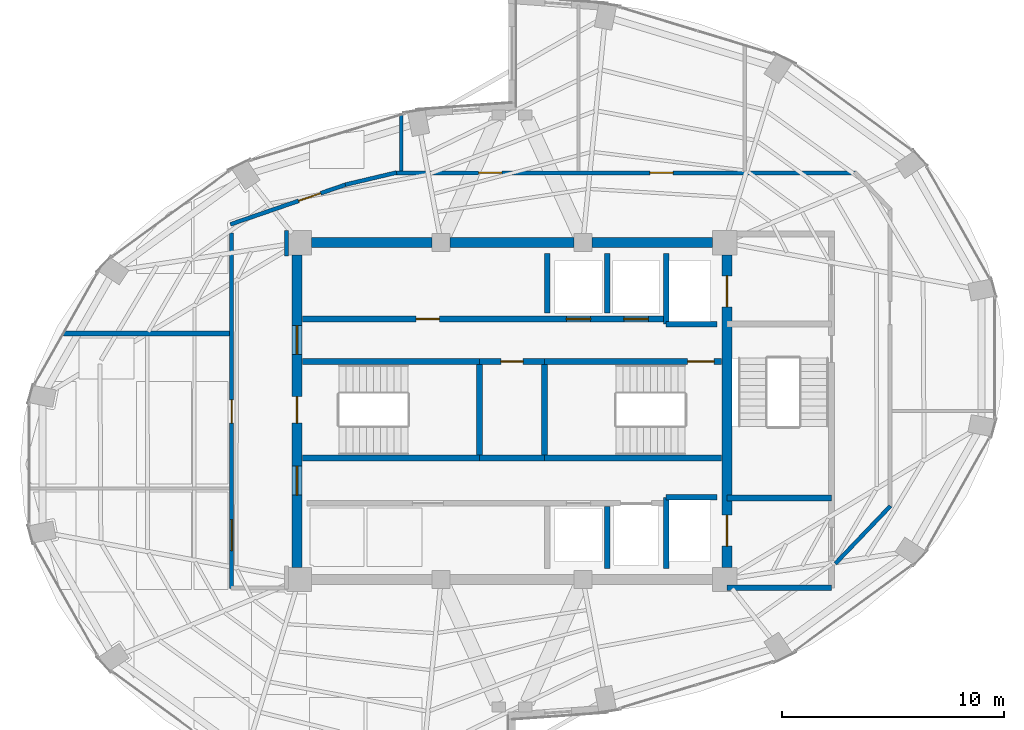
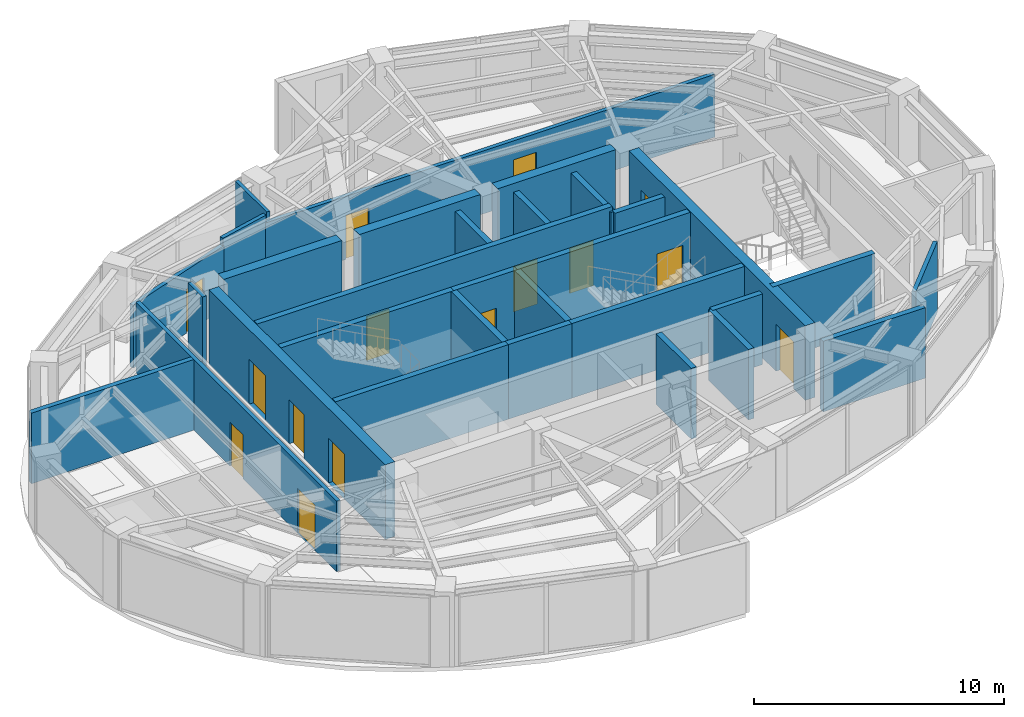
# One storey, part 19 of 22: 31 walls, 15 doors, 15 openings.
"""IFC4 building model written with IfcOpenShell, lengths in metres."""

from ifc_helpers import new_model, si_unit, direction, frame, frame_2d, origin, place, context, subcontext, project, spatial, rectangle, extrude, material, layer, layer_set, type_object, element, fill, save


model = new_model("IFC4")

# Units and contexts
model_context = context("Model", 3, precision=1e-05, world=origin(), true_north=direction((0.0, 1.0)))
body_context = subcontext(model_context, "Body", "Model", "MODEL_VIEW")
ifc_project = project(units=[si_unit("LENGTHUNIT", "METRE"), si_unit("AREAUNIT", "SQUARE_METRE"), si_unit("VOLUMEUNIT", "CUBIC_METRE"), si_unit("PLANEANGLEUNIT", "RADIAN"), si_unit("MASSUNIT", "GRAM", prefix="KILO")], contexts=[model_context])

# Site, building, storey
site_placement = place(None, origin())
site = spatial("IfcSite", under=ifc_project, at=site_placement, CompositionType="ELEMENT")
building_placement = place(site_placement, origin())
building = spatial("IfcBuilding", under=site, at=building_placement, Name="Lazwardi Medical Tower", CompositionType="ELEMENT")
storey_placement = place(building_placement, frame((0.0, 0.0, 238.60791015625)))
storey = spatial("IfcBuildingStorey", under=building, at=storey_placement, Name="L62", CompositionType="ELEMENT", Elevation=238.60791015625)

# Wall, opening, door
ifc_material_1 = material(Name="Fire-rated gypsum board on steel stud", Category="steel")
ifc_layer_1 = layer(ifc_material_1, 0.179931640625)
ifc_layer_set_1 = layer_set([ifc_layer_1], Name="Fire-rated gypsum board on steel stud")
wall_type_1 = type_object("IfcWallType", Name="WL-COR-180", PredefinedType="PARTITIONING", material=ifc_layer_set_1)
wall_1_placement = place(storey_placement, frame((23.294189453125, 36.422119140625, 0.0), z_axis=(0.0, 0.0, 1.0), x_axis=(0.945493277461, 0.325641616316, 0.0)))
wall_1 = element("IfcWall", 1, at=wall_1_placement, inside=storey, type_object=wall_type_1, Name="L62 Corridor partition 1", PredefinedType="PARTITIONING", context=body_context, shape_type="SweptSolid", body=[
    extrude(rectangle(XDim=5.5615234375, YDim=0.179931640625, at=frame_2d((2.78076171875, 0.0))), origin(), (0.0, 0.0, 1.0), 3.072998046875),
])
opening_1_placement = place(wall_1_placement, frame((3.255859375, 0.0, 0.0)))
opening_1 = element("IfcOpeningElement", 2, at=opening_1_placement, cuts=wall_1, Name="Opening D-L62-013", PredefinedType="OPENING", context=body_context, shape_type="SweptSolid", body=[
    extrude(rectangle(XDim=1.050048828125, YDim=2.14990234375, at=frame_2d((0.52490234375, 1.074951171875))), frame((0.0, 0.099853515625, 0.0), z_axis=(0.0, -1.0, 0.0), x_axis=(1.0, 0.0, 0.0)), (0.0, 0.0, 1.0), 0.199951171875),
])
ifc_material_2 = material(Name="Anti-microbial laminate hospital leaf")
door_type_1 = type_object("IfcDoorType", Name="DR-CLN-1050", OperationType="NOTDEFINED", PredefinedType="DOOR", material=ifc_material_2)
door_1_placement = place(opening_1_placement, origin())
door_1 = element("IfcDoor", 3, at=door_1_placement, inside=storey, type_object=door_type_1, Name="L62 Outpatient Clinic Door 06", OperationType="SINGLE_SWING_LEFT", OverallHeight=2.14990234375, OverallWidth=1.050048828125, PredefinedType="DOOR", context=body_context, shape_type="SweptSolid", body=[
    extrude(rectangle(XDim=1.050048828125, YDim=2.14990234375, at=frame_2d((0.52490234375, 1.074951171875))), frame((0.0, 0.02490234375, 0.0), z_axis=(0.0, -1.0, 0.0), x_axis=(1.0, 0.0, 0.0)), (0.0, 0.0, 1.0), 0.050048828125),
])
fill(opening_1, door_1)

# Wall
wall_2_placement = place(storey_placement, frame((28.475830078125, 38.2109375, 0.0), z_axis=(0.0, 0.0, 1.0), x_axis=(0.973030562203, 0.230676234189, 0.0)))
element("IfcWall", 4, at=wall_2_placement, inside=storey, type_object=wall_type_1, Name="L62 Corridor partition 2", PredefinedType="PARTITIONING", context=body_context, shape_type="SweptSolid", body=[
    extrude(rectangle(XDim=2.377197265625, YDim=0.179931640625, at=frame_2d((1.1884765625, 0.0))), origin(), (0.0, 0.0, 1.0), 3.447998046875),
])

# Wall, openings, doors
wall_3_placement = place(storey_placement, frame((30.709716796875, 38.75, 0.0), z_axis=(0.0, 0.0, 1.0), x_axis=(1.0, 0.0, 0.0)))
wall_3 = element("IfcWall", 5, at=wall_3_placement, inside=storey, type_object=wall_type_1, Name="L62 Corridor partition 3", PredefinedType="PARTITIONING", context=body_context, shape_type="SweptSolid", body=[
    extrude(rectangle(XDim=20.8154296875, YDim=0.179931640625, at=frame_2d((10.40771484375, 0.0))), origin(), (0.0, 0.0, 1.0), 3.072998046875),
])
opening_2_placement = place(wall_3_placement, frame((11.51513671875, 0.0, 0.0)))
opening_2 = element("IfcOpeningElement", 6, at=opening_2_placement, cuts=wall_3, Name="Opening D-L62-011", PredefinedType="OPENING", context=body_context, shape_type="SweptSolid", body=[
    extrude(rectangle(XDim=1.050048828125, YDim=2.14990234375, at=frame_2d((0.52490234375, 1.074951171875))), frame((0.0, 0.099853515625, 0.0), z_axis=(0.0, -1.0, 0.0), x_axis=(1.0, 0.0, 0.0)), (0.0, 0.0, 1.0), 0.199951171875),
])
opening_3_placement = place(wall_3_placement, frame((3.779052734375, 0.0, 0.0)))
opening_3 = element("IfcOpeningElement", 7, at=opening_3_placement, cuts=wall_3, Name="Opening D-L62-012", PredefinedType="OPENING", context=body_context, shape_type="SweptSolid", body=[
    extrude(rectangle(XDim=1.050048828125, YDim=2.14990234375, at=frame_2d((0.52490234375, 1.074951171875))), frame((0.0, 0.099853515625, 0.0), z_axis=(0.0, -1.0, 0.0), x_axis=(1.0, 0.0, 0.0)), (0.0, 0.0, 1.0), 0.199951171875),
])
door_2_placement = place(opening_2_placement, origin())
door_2 = element("IfcDoor", 8, at=door_2_placement, inside=storey, type_object=door_type_1, Name="L62 Ward Dietetic Pantry Door 04", OperationType="SINGLE_SWING_LEFT", OverallHeight=2.14990234375, OverallWidth=1.050048828125, PredefinedType="DOOR", context=body_context, shape_type="SweptSolid", body=[
    extrude(rectangle(XDim=1.050048828125, YDim=2.14990234375, at=frame_2d((0.52490234375, 1.074951171875))), frame((0.0, 0.02490234375, 0.0), z_axis=(0.0, -1.0, 0.0), x_axis=(1.0, 0.0, 0.0)), (0.0, 0.0, 1.0), 0.050048828125),
])
fill(opening_2, door_2)
door_3_placement = place(opening_3_placement, origin())
door_3 = element("IfcDoor", 9, at=door_3_placement, inside=storey, type_object=door_type_1, Name="L62 Outpatient Clinic Door 05", OperationType="SINGLE_SWING_RIGHT", OverallHeight=2.14990234375, OverallWidth=1.050048828125, PredefinedType="DOOR", context=body_context, shape_type="SweptSolid", body=[
    extrude(rectangle(XDim=1.050048828125, YDim=2.14990234375, at=frame_2d((0.52490234375, 1.074951171875))), frame((0.0, 0.02490234375, 0.0), z_axis=(0.0, -1.0, 0.0), x_axis=(1.0, 0.0, 0.0)), (0.0, 0.0, 1.0), 0.050048828125),
])
fill(opening_3, door_3)

# Walls
wall_4_placement = place(storey_placement, frame((53.07763671875, 23.71435546875, 0.0), z_axis=(0.0, 0.0, 1.0), x_axis=(-0.691353379446, -0.722516785085, 0.0)))
element("IfcWall", 10, at=wall_4_placement, inside=storey, type_object=wall_type_1, Name="L62 Corridor partition 6", PredefinedType="PARTITIONING", context=body_context, shape_type="SweptSolid", body=[
    extrude(rectangle(XDim=3.603759765625, YDim=0.179931640625, at=frame_2d((1.8017578125, 0.0))), origin(), (0.0, 0.0, 1.0), 3.447998046875),
])
wall_5_placement = place(storey_placement, frame((25.830078125, 36.139892578125, 0.0), z_axis=(0.0, 0.0, 1.0), x_axis=(0.0, -1.0, 0.0)))
element("IfcWall", 11, at=wall_5_placement, inside=storey, type_object=wall_type_1, Name="L62 Corridor partition 7", PredefinedType="PARTITIONING", context=body_context, shape_type="SweptSolid", body=[
    extrude(rectangle(XDim=1.14990234375, YDim=0.179931640625, at=frame_2d((0.574951171875, 0.0))), origin(), (0.0, 0.0, 1.0), 3.447998046875),
])

# Wall, openings, doors
wall_6_placement = place(storey_placement, frame((23.35009765625, 19.97998046875, 0.0), z_axis=(0.0, 0.0, 1.0), x_axis=(0.0, 1.0, 0.0)))
wall_6 = element("IfcWall", 12, at=wall_6_placement, inside=storey, type_object=wall_type_1, Name="L62 Corridor partition 10", PredefinedType="PARTITIONING", context=body_context, shape_type="SweptSolid", body=[
    extrude(rectangle(XDim=16.04248046875, YDim=0.179931640625, at=frame_2d((8.021240234375, 0.0))), origin(), (0.0, 0.0, 1.0), 3.447998046875),
])
opening_4_placement = place(wall_6_placement, frame((7.4775390625, 0.0, 0.0)))
opening_4 = element("IfcOpeningElement", 13, at=opening_4_placement, cuts=wall_6, Name="Opening D-L62-008", PredefinedType="OPENING", context=body_context, shape_type="SweptSolid", body=[
    extrude(rectangle(XDim=1.050048828125, YDim=2.14990234375, at=frame_2d((0.52490234375, 1.074951171875))), frame((0.0, 0.099853515625, 0.0), z_axis=(0.0, -1.0, 0.0), x_axis=(1.0, 0.0, 0.0)), (0.0, 0.0, 1.0), 0.199951171875),
])
opening_5_placement = place(wall_6_placement, frame((1.718994140625, 0.0, 0.0)))
opening_5 = element("IfcOpeningElement", 14, at=opening_5_placement, cuts=wall_6, Name="Opening D-L62-009", PredefinedType="OPENING", context=body_context, shape_type="SweptSolid", body=[
    extrude(rectangle(XDim=1.39990234375, YDim=2.199951171875, at=frame_2d((0.699951171875, 1.10009765625))), frame((0.0, 0.099853515625, 0.0), z_axis=(0.0, -1.0, 0.0), x_axis=(1.0, 0.0, 0.0)), (0.0, 0.0, 1.0), 0.199951171875),
])
door_type_2 = type_object("IfcDoorType", Name="DR-BED-1400", OperationType="NOTDEFINED", PredefinedType="DOOR", material=ifc_material_2)
door_4_placement = place(opening_5_placement, origin())
door_4 = element("IfcDoor", 15, at=door_4_placement, inside=storey, type_object=door_type_2, Name="L62 Rehabilitation Gymnasium Door 02", OperationType="SINGLE_SWING_LEFT", OverallHeight=2.199951171875, OverallWidth=1.39990234375, PredefinedType="DOOR", context=body_context, shape_type="SweptSolid", body=[
    extrude(rectangle(XDim=1.39990234375, YDim=2.199951171875, at=frame_2d((0.699951171875, 1.10009765625))), frame((0.0, 0.02490234375, 0.0), z_axis=(0.0, -1.0, 0.0), x_axis=(1.0, 0.0, 0.0)), (0.0, 0.0, 1.0), 0.050048828125),
])
fill(opening_5, door_4)
door_5_placement = place(opening_4_placement, origin())
door_5 = element("IfcDoor", 16, at=door_5_placement, inside=storey, type_object=door_type_1, Name="L62 Outpatient Clinic Door 01", OperationType="SINGLE_SWING_RIGHT", OverallHeight=2.14990234375, OverallWidth=1.050048828125, PredefinedType="DOOR", context=body_context, shape_type="SweptSolid", body=[
    extrude(rectangle(XDim=1.050048828125, YDim=2.14990234375, at=frame_2d((0.52490234375, 1.074951171875))), frame((0.0, 0.02490234375, 0.0), z_axis=(0.0, -1.0, 0.0), x_axis=(1.0, 0.0, 0.0)), (0.0, 0.0, 1.0), 0.050048828125),
])
fill(opening_4, door_5)

ifc_material_3 = material(Name="Concrete C60/75", Category="concrete")
ifc_layer_2 = layer(ifc_material_3, 0.449951171875)
ifc_layer_set_2 = layer_set([ifc_layer_2], Name="Concrete C60/75")
wall_type_2 = type_object("IfcWallType", Name="WL-CORE-450", PredefinedType="SHEAR", material=ifc_layer_set_2)
wall_7_placement = place(storey_placement, frame((26.300048828125, 20.949951171875, 0.0), z_axis=(0.0, 0.0, 1.0), x_axis=(0.0, 1.0, 0.0)))
wall_7 = element("IfcWall", 17, at=wall_7_placement, inside=storey, type_object=wall_type_2, Name="Core wall CW-S4 west L62", PredefinedType="SHEAR", context=body_context, shape_type="SweptSolid", body=[
    extrude(rectangle(XDim=14.10009765625, YDim=0.449951171875, at=frame_2d((7.050048828125, 0.0))), origin(), (0.0, 0.0, 1.0), 3.648193359375),
])
opening_6_placement = place(wall_7_placement, frame((6.5, 0.0, 0.0)))
opening_6 = element("IfcOpeningElement", 18, at=opening_6_placement, cuts=wall_7, Name="Opening D-L62-014", PredefinedType="OPENING", context=body_context, shape_type="SweptSolid", body=[
    extrude(rectangle(XDim=1.199951171875, YDim=2.14990234375, at=frame_2d((0.60009765625, 1.074951171875))), frame((0.0, 0.23486328125, 0.0), z_axis=(0.0, -1.0, 0.0), x_axis=(1.0, 0.0, 0.0)), (0.0, 0.0, 1.0), 0.469970703125),
])
opening_7_placement = place(wall_7_placement, frame((9.60009765625, 0.0, 0.0)))
opening_7 = element("IfcOpeningElement", 19, at=opening_7_placement, cuts=wall_7, Name="Opening D-L62-006", PredefinedType="OPENING", context=body_context, shape_type="SweptSolid", body=[
    extrude(rectangle(XDim=1.300048828125, YDim=2.199951171875, at=frame_2d((0.64990234375, 1.10009765625))), frame((0.0, 0.23486328125, 0.0), z_axis=(0.0, -1.0, 0.0), x_axis=(1.0, 0.0, 0.0)), (0.0, 0.0, 1.0), 0.469970703125),
])
opening_8_placement = place(wall_7_placement, frame((3.260009765625, 0.0, 0.0)))
opening_8 = element("IfcOpeningElement", 20, at=opening_8_placement, cuts=wall_7, Name="Opening D-L62-007", PredefinedType="OPENING", context=body_context, shape_type="SweptSolid", body=[
    extrude(rectangle(XDim=1.300048828125, YDim=2.199951171875, at=frame_2d((0.64990234375, 1.10009765625))), frame((0.0, 0.23486328125, 0.0), z_axis=(0.0, -1.0, 0.0), x_axis=(1.0, 0.0, 0.0)), (0.0, 0.0, 1.0), 0.469970703125),
])
ifc_material_4 = material(Name="Fire-rated steel leaf and frame", Category="steel")
door_type_3 = type_object("IfcDoorType", Name="DR-FFL-1300", OperationType="NOTDEFINED", PredefinedType="DOOR", material=ifc_material_4)
door_6_placement = place(opening_7_placement, origin())
door_6 = element("IfcDoor", 21, at=door_6_placement, inside=storey, type_object=door_type_3, Name="L62 North Lift Lobby Door", OperationType="SINGLE_SWING_LEFT", OverallHeight=2.199951171875, OverallWidth=1.300048828125, PredefinedType="DOOR", context=body_context, shape_type="SweptSolid", body=[
    extrude(rectangle(XDim=1.300048828125, YDim=2.199951171875, at=frame_2d((0.64990234375, 1.10009765625))), frame((0.0, 0.02490234375, 0.0), z_axis=(0.0, -1.0, 0.0), x_axis=(1.0, 0.0, 0.0)), (0.0, 0.0, 1.0), 0.050048828125),
])
fill(opening_7, door_6)
door_7_placement = place(opening_8_placement, origin())
door_7 = element("IfcDoor", 22, at=door_7_placement, inside=storey, type_object=door_type_3, Name="L62 South Lift Lobby Door", OperationType="SINGLE_SWING_RIGHT", OverallHeight=2.199951171875, OverallWidth=1.300048828125, PredefinedType="DOOR", context=body_context, shape_type="SweptSolid", body=[
    extrude(rectangle(XDim=1.300048828125, YDim=2.199951171875, at=frame_2d((0.64990234375, 1.10009765625))), frame((0.0, 0.02490234375, 0.0), z_axis=(0.0, -1.0, 0.0), x_axis=(1.0, 0.0, 0.0)), (0.0, 0.0, 1.0), 0.050048828125),
])
fill(opening_8, door_7)
door_type_4 = type_object("IfcDoorType", Name="DR-STR-1200", OperationType="NOTDEFINED", PredefinedType="DOOR", material=ifc_material_4)
door_8_placement = place(opening_6_placement, origin())
door_8 = element("IfcDoor", 23, at=door_8_placement, inside=storey, type_object=door_type_4, Name="L62 Exit Stair ST1 Door", OperationType="SINGLE_SWING_RIGHT", OverallHeight=2.14990234375, OverallWidth=1.199951171875, PredefinedType="DOOR", context=body_context, shape_type="SweptSolid", body=[
    extrude(rectangle(XDim=1.199951171875, YDim=2.14990234375, at=frame_2d((0.60009765625, 1.074951171875))), frame((0.0, 0.02490234375, 0.0), z_axis=(0.0, -1.0, 0.0), x_axis=(1.0, 0.0, 0.0)), (0.0, 0.0, 1.0), 0.050048828125),
])
fill(opening_6, door_8)

wall_8_placement = place(storey_placement, frame((45.699951171875, 20.949951171875, 0.0), z_axis=(0.0, 0.0, 1.0), x_axis=(0.0, 1.0, 0.0)))
wall_8 = element("IfcWall", 24, at=wall_8_placement, inside=storey, type_object=wall_type_2, Name="Core wall CW-S4 east L62", PredefinedType="SHEAR", context=body_context, shape_type="SweptSolid", body=[
    extrude(rectangle(XDim=14.10009765625, YDim=0.449951171875, at=frame_2d((7.050048828125, 0.0))), origin(), (0.0, 0.0, 1.0), 3.648193359375),
])
opening_9_placement = place(wall_8_placement, frame((11.75, 0.0, 0.0)))
opening_9 = element("IfcOpeningElement", 25, at=opening_9_placement, cuts=wall_8, Name="Opening LD-L62-001", PredefinedType="OPENING", context=body_context, shape_type="SweptSolid", body=[
    extrude(rectangle(XDim=1.39990234375, YDim=2.300048828125, at=frame_2d((0.699951171875, 1.14990234375))), frame((0.0, 0.23486328125, 0.0), z_axis=(0.0, -1.0, 0.0), x_axis=(1.0, 0.0, 0.0)), (0.0, 0.0, 1.0), 0.469970703125),
])
opening_10_placement = place(wall_8_placement, frame((0.949951171875, 0.0, 0.0)))
opening_10 = element("IfcOpeningElement", 26, at=opening_10_placement, cuts=wall_8, Name="Opening LD-L62-002", PredefinedType="OPENING", context=body_context, shape_type="SweptSolid", body=[
    extrude(rectangle(XDim=1.39990234375, YDim=2.300048828125, at=frame_2d((0.699951171875, 1.14990234375))), frame((0.0, 0.23486328125, 0.0), z_axis=(0.0, -1.0, 0.0), x_axis=(1.0, 0.0, 0.0)), (0.0, 0.0, 1.0), 0.469970703125),
])
ifc_material_5 = material(Name="Brushed stainless steel bed-lift landing door", Category="steel")
door_type_5 = type_object("IfcDoorType", Name="DR-LFT-1400", OperationType="NOTDEFINED", PredefinedType="DOOR", material=ifc_material_5)
door_9_placement = place(opening_9_placement, origin())
door_9 = element("IfcDoor", 27, at=door_9_placement, inside=storey, type_object=door_type_5, Name="L62 Lift Landing Door FL-01", OperationType="SLIDING_TO_LEFT", OverallHeight=2.300048828125, OverallWidth=1.39990234375, PredefinedType="DOOR", context=body_context, shape_type="SweptSolid", body=[
    extrude(rectangle(XDim=1.39990234375, YDim=2.300048828125, at=frame_2d((0.699951171875, 1.14990234375))), frame((0.0, 0.02490234375, 0.0), z_axis=(0.0, -1.0, 0.0), x_axis=(1.0, 0.0, 0.0)), (0.0, 0.0, 1.0), 0.050048828125),
])
fill(opening_9, door_9)
door_10_placement = place(opening_10_placement, origin())
door_10 = element("IfcDoor", 28, at=door_10_placement, inside=storey, type_object=door_type_5, Name="L62 Lift Landing Door FL-02", OperationType="SLIDING_TO_LEFT", OverallHeight=2.300048828125, OverallWidth=1.39990234375, PredefinedType="DOOR", context=body_context, shape_type="SweptSolid", body=[
    extrude(rectangle(XDim=1.39990234375, YDim=2.300048828125, at=frame_2d((0.699951171875, 1.14990234375))), frame((0.0, 0.02490234375, 0.0), z_axis=(0.0, -1.0, 0.0), x_axis=(1.0, 0.0, 0.0)), (0.0, 0.0, 1.0), 0.050048828125),
])
fill(opening_10, door_10)

# Walls
wall_9_placement = place(storey_placement, frame((26.949951171875, 35.60009765625, 0.0), z_axis=(0.0, 0.0, 1.0), x_axis=(1.0, 0.0, 0.0)))
element("IfcWall", 29, at=wall_9_placement, inside=storey, type_object=wall_type_2, Name="Core wall CW-S4 N1 L62", PredefinedType="SHEAR", context=body_context, shape_type="SweptSolid", body=[
    extrude(rectangle(XDim=5.449951171875, YDim=0.449951171875, at=frame_2d((2.72509765625, 0.0))), origin(), (0.0, 0.0, 1.0), 3.648193359375),
])
wall_10_placement = place(storey_placement, frame((33.199951171875, 35.60009765625, 0.0), z_axis=(0.0, 0.0, 1.0), x_axis=(1.0, 0.0, 0.0)))
element("IfcWall", 30, at=wall_10_placement, inside=storey, type_object=wall_type_2, Name="Core wall CW-S4 N2 L62", PredefinedType="SHEAR", context=body_context, shape_type="SweptSolid", body=[
    extrude(rectangle(XDim=5.60009765625, YDim=0.449951171875, at=frame_2d((2.800048828125, 0.0))), origin(), (0.0, 0.0, 1.0), 3.648193359375),
])
wall_11_placement = place(storey_placement, frame((39.60009765625, 35.60009765625, 0.0), z_axis=(0.0, 0.0, 1.0), x_axis=(1.0, 0.0, 0.0)))
element("IfcWall", 31, at=wall_11_placement, inside=storey, type_object=wall_type_2, Name="Core wall CW-S4 N3 L62", PredefinedType="SHEAR", context=body_context, shape_type="SweptSolid", body=[
    extrude(rectangle(XDim=5.449951171875, YDim=0.449951171875, at=frame_2d((2.72509765625, 0.0))), origin(), (0.0, 0.0, 1.0), 3.648193359375),
])
ifc_material_6 = material(Name="Autoclaved aerated concrete blockwork", Category="masonry")
ifc_layer_3 = layer(ifc_material_6, 0.25)
ifc_layer_set_3 = layer_set([ifc_layer_3], Name="Autoclaved aerated concrete blockwork")
wall_type_3 = type_object("IfcWallType", Name="WL-SHAFT-250", PredefinedType="SOLIDWALL", material=ifc_layer_set_3)
wall_12_placement = place(storey_placement, frame((42.949951171875, 31.919921875, 0.0), z_axis=(0.0, 0.0, 1.0), x_axis=(0.0, 1.0, 0.0)))
element("IfcWall", 32, at=wall_12_placement, inside=storey, type_object=wall_type_3, Name="L62 FL-01 West shaft wall", PredefinedType="SOLIDWALL", context=body_context, shape_type="SweptSolid", body=[
    extrude(rectangle(XDim=3.18017578125, YDim=0.25, at=frame_2d((1.590087890625, 0.0))), origin(), (0.0, 0.0, 1.0), 3.447998046875),
])
wall_13_placement = place(storey_placement, frame((42.949951171875, 31.919921875, 0.0), z_axis=(0.0, 0.0, 1.0), x_axis=(1.0, 0.0, 0.0)))
element("IfcWall", 33, at=wall_13_placement, inside=storey, type_object=wall_type_3, Name="L62 FL-01 South shaft wall", PredefinedType="SOLIDWALL", context=body_context, shape_type="SweptSolid", body=[
    extrude(rectangle(XDim=2.300048828125, YDim=0.25, at=frame_2d((1.14990234375, 0.0))), origin(), (0.0, 0.0, 1.0), 3.447998046875),
])
wall_14_placement = place(storey_placement, frame((42.949951171875, 20.89990234375, 0.0), z_axis=(0.0, 0.0, 1.0), x_axis=(0.0, 1.0, 0.0)))
element("IfcWall", 34, at=wall_14_placement, inside=storey, type_object=wall_type_3, Name="L62 FL-02 West shaft wall", PredefinedType="SOLIDWALL", context=body_context, shape_type="SweptSolid", body=[
    extrude(rectangle(XDim=3.2001953125, YDim=0.25, at=frame_2d((1.60009765625, 0.0))), origin(), (0.0, 0.0, 1.0), 3.447998046875),
])
wall_15_placement = place(storey_placement, frame((42.949951171875, 24.10009765625, 0.0), z_axis=(0.0, 0.0, 1.0), x_axis=(1.0, 0.0, 0.0)))
element("IfcWall", 35, at=wall_15_placement, inside=storey, type_object=wall_type_3, Name="L62 FL-02 North shaft wall", PredefinedType="SOLIDWALL", context=body_context, shape_type="SweptSolid", body=[
    extrude(rectangle(XDim=2.300048828125, YDim=0.25, at=frame_2d((1.14990234375, 0.0))), origin(), (0.0, 0.0, 1.0), 3.447998046875),
])
for number, where, z_axis, x_axis, name in (
    (36, (37.60009765625, 32.419921875, 0.0), (0.0, 0.0, 1.0), (0.0, 1.0, 0.0), "L62 North hoistway divider"),
    (37, (40.300048828125, 32.419921875, 0.0), (0.0, 0.0, 1.0), (0.0, 1.0, 0.0), "L62 North hoistway divider"),
):
    element("IfcWall", number, at=place(storey_placement, frame(where, z_axis=z_axis, x_axis=x_axis)), inside=storey, type_object=wall_type_3, Name=name, PredefinedType="SOLIDWALL", context=body_context, shape_type="SweptSolid", body=[
        extrude(rectangle(XDim=2.68017578125, YDim=0.25, at=frame_2d((1.340087890625, 0.0))), origin(), (0.0, 0.0, 1.0), 3.447998046875),
    ])
wall_16_placement = place(storey_placement, frame((40.300048828125, 20.89990234375, 0.0), z_axis=(0.0, 0.0, 1.0), x_axis=(0.0, 1.0, 0.0)))
element("IfcWall", 38, at=wall_16_placement, inside=storey, type_object=wall_type_3, Name="L62 South hoistway divider", PredefinedType="SOLIDWALL", context=body_context, shape_type="SweptSolid", body=[
    extrude(rectangle(XDim=2.800048828125, YDim=0.25, at=frame_2d((1.39990234375, 0.0))), origin(), (0.0, 0.0, 1.0), 3.447998046875),
])
wall_17_placement = place(storey_placement, frame((45.699951171875, 20.02001953125, 0.0), z_axis=(0.0, 0.0, 1.0), x_axis=(1.0, 0.0, 0.0)))
element("IfcWall", 39, at=wall_17_placement, inside=storey, type_object=wall_type_3, Name="L62 FFL-S South wall", PredefinedType="SOLIDWALL", context=body_context, shape_type="SweptSolid", body=[
    extrude(rectangle(XDim=4.715087890625, YDim=0.25, at=frame_2d((2.357421875, 0.0))), origin(), (0.0, 0.0, 1.0), 3.447998046875),
])
ifc_layer_4 = layer(ifc_material_1, 0.219970703125)
ifc_layer_set_4 = layer_set([ifc_layer_4], Name="Fire-rated gypsum board on steel stud")
wall_type_4 = type_object("IfcWallType", Name="WL-SMK-220", PredefinedType="PARTITIONING", material=ifc_layer_set_4)
wall_18_placement = place(storey_placement, frame((15.764892578125, 31.5, 0.0), z_axis=(0.0, 0.0, 1.0), x_axis=(1.0, 0.0, 0.0)))
element("IfcWall", 40, at=wall_18_placement, inside=storey, type_object=wall_type_4, Name="L62 Room partition 2", PredefinedType="PARTITIONING", context=body_context, shape_type="SweptSolid", body=[
    extrude(rectangle(XDim=7.4951171875, YDim=0.219970703125, at=frame_2d((3.74755859375, 0.0))), origin(), (0.0, 0.0, 1.0), 3.447998046875),
])
ifc_material_7 = material(Name="Concrete C50/60", Category="concrete")
ifc_layer_5 = layer(ifc_material_7, 0.27001953125)
ifc_layer_set_5 = layer_set([ifc_layer_5], Name="Concrete C50/60")
wall_type_5 = type_object("IfcWallType", Name="WL-STR-250", PredefinedType="SHEAR", material=ifc_layer_set_5)
wall_19_placement = place(storey_placement, frame((26.550048828125, 30.235107421875, 0.0), z_axis=(0.0, 0.0, 1.0), x_axis=(1.0, 0.0, 0.0)))
element("IfcWall", 41, at=wall_19_placement, inside=storey, type_object=wall_type_5, Name="L62 ST1 North shear shaft wall SW-S1", PredefinedType="SHEAR", context=body_context, shape_type="SweptSolid", body=[
    extrude(rectangle(XDim=7.98486328125, YDim=0.27001953125, at=frame_2d((3.992431640625, 0.0))), origin(), (0.0, 0.0, 1.0), 3.648193359375),
])

# Wall, opening, door
wall_20_placement = place(storey_placement, frame((34.534912109375, 30.235107421875, 0.0), z_axis=(0.0, 0.0, 1.0), x_axis=(1.0, 0.0, 0.0)))
wall_20 = element("IfcWall", 42, at=wall_20_placement, inside=storey, type_object=wall_type_5, Name="L62 Core service North shear wall SW-S1", PredefinedType="SHEAR", context=body_context, shape_type="SweptSolid", body=[
    extrude(rectangle(XDim=2.93017578125, YDim=0.27001953125, at=frame_2d((1.465087890625, 0.0))), origin(), (0.0, 0.0, 1.0), 3.648193359375),
])
opening_11_placement = place(wall_20_placement, frame((0.965087890625, 0.0, 0.0)))
opening_11 = element("IfcOpeningElement", 43, at=opening_11_placement, cuts=wall_20, Name="Opening D-L62-001", PredefinedType="OPENING", context=body_context, shape_type="SweptSolid", body=[
    extrude(rectangle(XDim=1.0, YDim=2.10009765625, at=frame_2d((0.5, 1.050048828125))), frame((0.0, 0.14501953125, 0.0), z_axis=(0.0, -1.0, 0.0), x_axis=(1.0, 0.0, 0.0)), (0.0, 0.0, 1.0), 0.2900390625),
])
ifc_material_8 = material(Name="Moisture-resistant laminate door leaf")
door_type_6 = type_object("IfcDoorType", Name="DR-AWC-1000", OperationType="NOTDEFINED", PredefinedType="DOOR", material=ifc_material_8)
door_11_placement = place(opening_11_placement, origin())
door_11 = element("IfcDoor", 44, at=door_11_placement, inside=storey, type_object=door_type_6, Name="L62 Accessible WC Door", OperationType="SINGLE_SWING_RIGHT", OverallHeight=2.10009765625, OverallWidth=1.0, PredefinedType="DOOR", context=body_context, shape_type="SweptSolid", body=[
    extrude(rectangle(XDim=1.0, YDim=2.10009765625, at=frame_2d((0.5, 1.050048828125))), frame((0.0, 0.02490234375, 0.0), z_axis=(0.0, -1.0, 0.0), x_axis=(1.0, 0.0, 0.0)), (0.0, 0.0, 1.0), 0.050048828125),
])
fill(opening_11, door_11)

wall_21_placement = place(storey_placement, frame((37.465087890625, 30.235107421875, 0.0), z_axis=(0.0, 0.0, 1.0), x_axis=(1.0, 0.0, 0.0)))
wall_21 = element("IfcWall", 45, at=wall_21_placement, inside=storey, type_object=wall_type_5, Name="L62 ST2 North shear shaft wall SW-S1", PredefinedType="SHEAR", context=body_context, shape_type="SweptSolid", body=[
    extrude(rectangle(XDim=7.98486328125, YDim=0.27001953125, at=frame_2d((3.992431640625, 0.0))), origin(), (0.0, 0.0, 1.0), 3.648193359375),
])
opening_12_placement = place(wall_21_placement, frame((6.455078125, 0.0, 0.0)))
opening_12 = element("IfcOpeningElement", 46, at=opening_12_placement, cuts=wall_21, Name="Opening D-L62-015", PredefinedType="OPENING", context=body_context, shape_type="SweptSolid", body=[
    extrude(rectangle(XDim=1.199951171875, YDim=2.14990234375, at=frame_2d((0.60009765625, 1.074951171875))), frame((0.0, 0.14501953125, 0.0), z_axis=(0.0, -1.0, 0.0), x_axis=(1.0, 0.0, 0.0)), (0.0, 0.0, 1.0), 0.2900390625),
])
door_12_placement = place(opening_12_placement, origin())
door_12 = element("IfcDoor", 47, at=door_12_placement, inside=storey, type_object=door_type_4, Name="L62 Exit Stair ST2 Door", OperationType="SINGLE_SWING_LEFT", OverallHeight=2.14990234375, OverallWidth=1.199951171875, PredefinedType="DOOR", context=body_context, shape_type="SweptSolid", body=[
    extrude(rectangle(XDim=1.199951171875, YDim=2.14990234375, at=frame_2d((0.60009765625, 1.074951171875))), frame((0.0, 0.02490234375, 0.0), z_axis=(0.0, -1.0, 0.0), x_axis=(1.0, 0.0, 0.0)), (0.0, 0.0, 1.0), 0.050048828125),
])
fill(opening_12, door_12)

# Walls
wall_22_placement = place(storey_placement, frame((26.550048828125, 25.885009765625, 0.0), z_axis=(0.0, 0.0, 1.0), x_axis=(1.0, 0.0, 0.0)))
element("IfcWall", 48, at=wall_22_placement, inside=storey, type_object=wall_type_5, Name="L62 ST1 South shear shaft wall SW-S1", PredefinedType="SHEAR", context=body_context, shape_type="SweptSolid", body=[
    extrude(rectangle(XDim=7.98486328125, YDim=0.27001953125, at=frame_2d((3.992431640625, 0.0))), origin(), (0.0, 0.0, 1.0), 3.648193359375),
])
wall_23_placement = place(storey_placement, frame((34.534912109375, 25.885009765625, 0.0), z_axis=(0.0, 0.0, 1.0), x_axis=(1.0, 0.0, 0.0)))
element("IfcWall", 49, at=wall_23_placement, inside=storey, type_object=wall_type_5, Name="L62 Core service South shear wall SW-S1", PredefinedType="SHEAR", context=body_context, shape_type="SweptSolid", body=[
    extrude(rectangle(XDim=2.93017578125, YDim=0.27001953125, at=frame_2d((1.465087890625, 0.0))), origin(), (0.0, 0.0, 1.0), 3.648193359375),
])
wall_24_placement = place(storey_placement, frame((37.465087890625, 25.885009765625, 0.0), z_axis=(0.0, 0.0, 1.0), x_axis=(1.0, 0.0, 0.0)))
element("IfcWall", 50, at=wall_24_placement, inside=storey, type_object=wall_type_5, Name="L62 ST2 South shear shaft wall SW-S1", PredefinedType="SHEAR", context=body_context, shape_type="SweptSolid", body=[
    extrude(rectangle(XDim=7.98486328125, YDim=0.27001953125, at=frame_2d((3.992431640625, 0.0))), origin(), (0.0, 0.0, 1.0), 3.648193359375),
])
for number, where, z_axis, x_axis, name in (
    (51, (34.534912109375, 26.02001953125, 0.0), (0.0, 0.0, 1.0), (0.0, 1.0, 0.0), "L62 ST1 East shear shaft wall SW-S1"),
    (52, (37.465087890625, 26.02001953125, 0.0), (0.0, 0.0, 1.0), (0.0, 1.0, 0.0), "L62 ST2 West shear shaft wall SW-S1"),
):
    element("IfcWall", number, at=place(storey_placement, frame(where, z_axis=z_axis, x_axis=x_axis)), inside=storey, type_object=wall_type_5, Name=name, PredefinedType="SHEAR", context=body_context, shape_type="SweptSolid", body=[
        extrude(rectangle(XDim=4.080078125, YDim=0.27001953125, at=frame_2d((2.0400390625, 0.0))), origin(), (0.0, 0.0, 1.0), 3.648193359375),
    ])

# Wall, openings, doors
wall_25_placement = place(storey_placement, frame((26.550048828125, 32.14990234375, 0.0), z_axis=(0.0, 0.0, 1.0), x_axis=(1.0, 0.0, 0.0)))
wall_25 = element("IfcWall", 53, at=wall_25_placement, inside=storey, type_object=wall_type_5, Name="L62 North lift bank shear wall SW-S1", PredefinedType="SHEAR", context=body_context, shape_type="SweptSolid", body=[
    extrude(rectangle(XDim=16.39990234375, YDim=0.27001953125, at=frame_2d((8.199951171875, 0.0))), origin(), (0.0, 0.0, 1.0), 3.648193359375),
])
opening_13_placement = place(wall_25_placement, frame((5.125, 0.0, 0.0)))
opening_13 = element("IfcOpeningElement", 54, at=opening_13_placement, cuts=wall_25, Name="Opening D-L62-002", PredefinedType="OPENING", context=body_context, shape_type="SweptSolid", body=[
    extrude(rectangle(XDim=1.050048828125, YDim=2.14990234375, at=frame_2d((0.52490234375, 1.074951171875))), frame((0.0, 0.14501953125, 0.0), z_axis=(0.0, -1.0, 0.0), x_axis=(1.0, 0.0, 0.0)), (0.0, 0.0, 1.0), 0.2900390625),
])
opening_14_placement = place(wall_25_placement, frame((11.89990234375, 0.0, 0.0)))
opening_14 = element("IfcOpeningElement", 55, at=opening_14_placement, cuts=wall_25, Name="Opening LD-L62-004", PredefinedType="OPENING", context=body_context, shape_type="SweptSolid", body=[
    extrude(rectangle(XDim=1.10009765625, YDim=2.199951171875, at=frame_2d((0.550048828125, 1.10009765625))), frame((0.0, 0.14501953125, 0.0), z_axis=(0.0, -1.0, 0.0), x_axis=(1.0, 0.0, 0.0)), (0.0, 0.0, 1.0), 0.2900390625),
])
opening_15_placement = place(wall_25_placement, frame((14.5, 0.0, 0.0)))
opening_15 = element("IfcOpeningElement", 56, at=opening_15_placement, cuts=wall_25, Name="Opening LD-L62-005", PredefinedType="OPENING", context=body_context, shape_type="SweptSolid", body=[
    extrude(rectangle(XDim=1.10009765625, YDim=2.199951171875, at=frame_2d((0.550048828125, 1.10009765625))), frame((0.0, 0.14501953125, 0.0), z_axis=(0.0, -1.0, 0.0), x_axis=(1.0, 0.0, 0.0)), (0.0, 0.0, 1.0), 0.2900390625),
])
door_13_placement = place(opening_13_placement, origin())
door_13 = element("IfcDoor", 57, at=door_13_placement, inside=storey, type_object=door_type_1, Name="L62 Core North Suite Door", OperationType="SINGLE_SWING_LEFT", OverallHeight=2.14990234375, OverallWidth=1.050048828125, PredefinedType="DOOR", context=body_context, shape_type="SweptSolid", body=[
    extrude(rectangle(XDim=1.050048828125, YDim=2.14990234375, at=frame_2d((0.52490234375, 1.074951171875))), frame((0.0, 0.02490234375, 0.0), z_axis=(0.0, -1.0, 0.0), x_axis=(1.0, 0.0, 0.0)), (0.0, 0.0, 1.0), 0.050048828125),
])
fill(opening_13, door_13)
ifc_material_9 = material(Name="Brushed bronze stainless steel landing door", Category="steel")
door_type_7 = type_object("IfcDoorType", Name="DR-LFT-1100", OperationType="NOTDEFINED", PredefinedType="DOOR", material=ifc_material_9)
door_14_placement = place(opening_14_placement, origin())
door_14 = element("IfcDoor", 58, at=door_14_placement, inside=storey, type_object=door_type_7, Name="L62 Lift Landing Door PL-09", OperationType="SLIDING_TO_LEFT", OverallHeight=2.199951171875, OverallWidth=1.10009765625, PredefinedType="DOOR", context=body_context, shape_type="SweptSolid", body=[
    extrude(rectangle(XDim=1.10009765625, YDim=2.199951171875, at=frame_2d((0.550048828125, 1.10009765625))), frame((0.0, 0.02490234375, 0.0), z_axis=(0.0, -1.0, 0.0), x_axis=(1.0, 0.0, 0.0)), (0.0, 0.0, 1.0), 0.050048828125),
])
fill(opening_14, door_14)
door_15_placement = place(opening_15_placement, origin())
door_15 = element("IfcDoor", 59, at=door_15_placement, inside=storey, type_object=door_type_7, Name="L62 Lift Landing Door PL-10", OperationType="SLIDING_TO_LEFT", OverallHeight=2.199951171875, OverallWidth=1.10009765625, PredefinedType="DOOR", context=body_context, shape_type="SweptSolid", body=[
    extrude(rectangle(XDim=1.10009765625, YDim=2.199951171875, at=frame_2d((0.550048828125, 1.10009765625))), frame((0.0, 0.02490234375, 0.0), z_axis=(0.0, -1.0, 0.0), x_axis=(1.0, 0.0, 0.0)), (0.0, 0.0, 1.0), 0.050048828125),
])
fill(opening_15, door_15)

# Walls
wall_26_placement = place(storey_placement, frame((45.699951171875, 24.06494140625, 0.0), z_axis=(0.0, 0.0, 1.0), x_axis=(1.0, 0.0, 0.0)))
element("IfcWall", 60, at=wall_26_placement, inside=storey, type_object=wall_type_5, Name="L62 ST3 South shear shaft wall SW-S1", PredefinedType="SHEAR", context=body_context, shape_type="SweptSolid", body=[
    extrude(rectangle(XDim=4.715087890625, YDim=0.27001953125, at=frame_2d((2.357421875, 0.0))), origin(), (0.0, 0.0, 1.0), 3.648193359375),
])
ifc_material_10 = material(Name="Acoustic gypsum board partition")
ifc_layer_6 = layer(ifc_material_10, 0.14990234375)
ifc_layer_set_6 = layer_set([ifc_layer_6], Name="Acoustic gypsum board partition")
wall_type_6 = type_object("IfcWallType", Name="WL-WRD-150", PredefinedType="PARTITIONING", material=ifc_layer_set_6)
wall_27_placement = place(storey_placement, frame((31.0, 38.840087890625, 0.0), z_axis=(0.0, 0.0, 1.0), x_axis=(0.0, 1.0, 0.0)))
element("IfcWall", 61, at=wall_27_placement, inside=storey, type_object=wall_type_6, Name="L62 Room partition 4", PredefinedType="PARTITIONING", context=body_context, shape_type="SweptSolid", body=[
    extrude(rectangle(XDim=2.511474609375, YDim=0.14990234375, at=frame_2d((1.255859375, 0.0))), origin(), (0.0, 0.0, 1.0), 3.447998046875),
])

save(model, "model.ifc")
